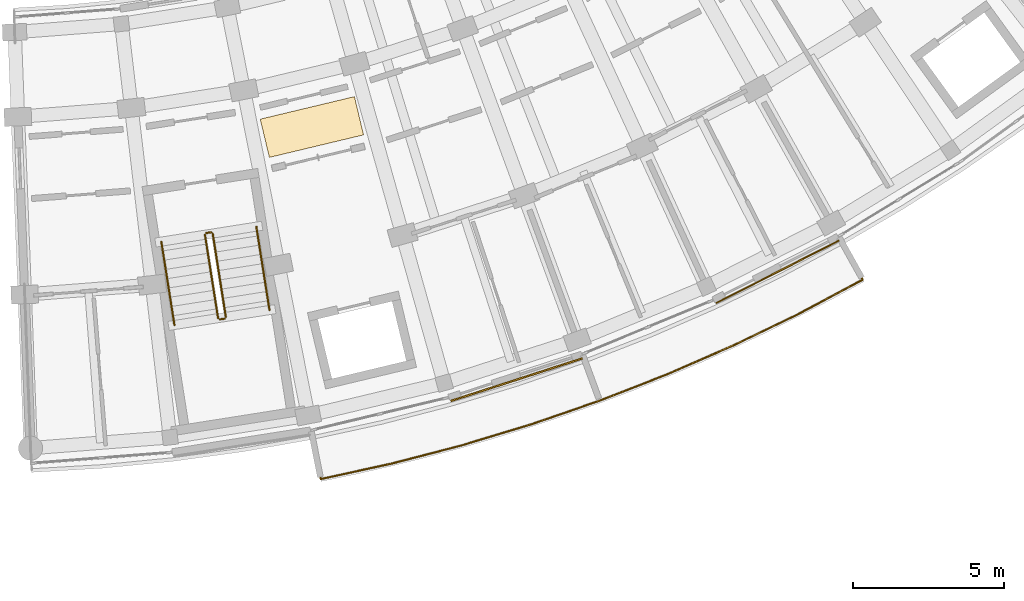
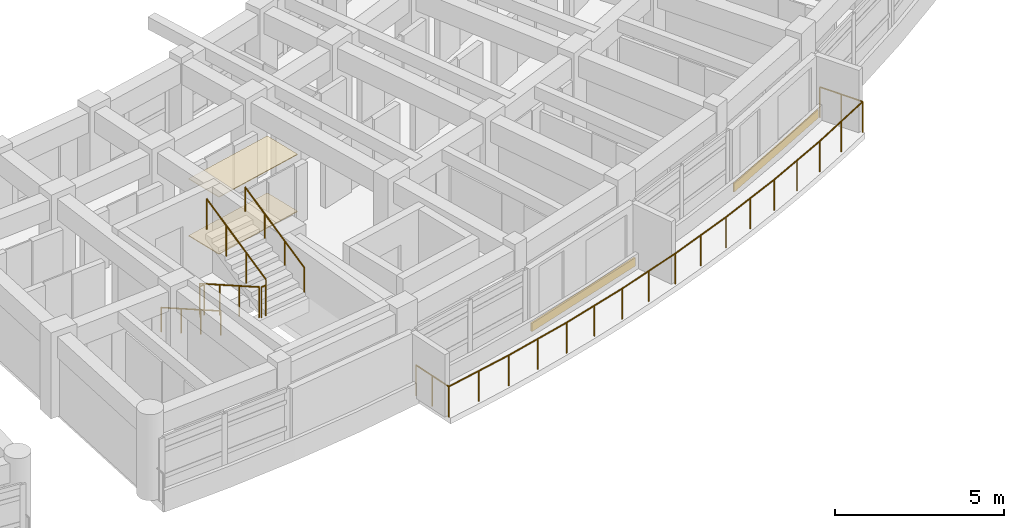
# One storey, part 68 of 70: 7 railings, 4 coverings.
"""IFC4 building model written with IfcOpenShell, lengths in metres."""

from ifc_helpers import new_model, si_unit, direction, frame, origin, origin_2d, place, context, subcontext, project, spatial, rectangle, circle, extrude, material, layer, layer_set, type_object, element, save


model = new_model("IFC4")

# Units and contexts
model_context = context("Model", 3, precision=1e-05, world=origin(), true_north=direction((0.0, 1.0)))
body_context = subcontext(model_context, "Body", "Model", "MODEL_VIEW")
ifc_project = project(units=[si_unit("LENGTHUNIT", "METRE"), si_unit("AREAUNIT", "SQUARE_METRE"), si_unit("VOLUMEUNIT", "CUBIC_METRE"), si_unit("PLANEANGLEUNIT", "RADIAN"), si_unit("MASSUNIT", "GRAM", prefix="KILO")], contexts=[model_context])

# Site, building, storey
site_placement = place(None, origin())
site = spatial("IfcSite", under=ifc_project, at=site_placement, CompositionType="ELEMENT")
building_placement = place(site_placement, origin())
building = spatial("IfcBuilding", under=site, at=building_placement, Name="Zimvara Arc Housing Community", CompositionType="ELEMENT")
storey_placement = place(building_placement, frame((0.0, 0.0, 8.10009765625)))
storey = spatial("IfcBuildingStorey", under=building, at=storey_placement, Name="L02", CompositionType="ELEMENT", Elevation=8.10009765625)

# Coverings
ifc_material_1 = material(Name="Pale-Gold Anodised Aluminium Cladding", Category="aluminium")
ifc_layer_1 = layer(ifc_material_1, 0.044921875)
ifc_layer_set_1 = layer_set([ifc_layer_1], Name="Pale-Gold Anodised Aluminium Cladding")
covering_type_1 = type_object("IfcCoveringType", Name="CLD-GOLD-02", PredefinedType="CLADDING", material=ifc_layer_set_1)
covering_1_placement = place(storey_placement, frame((152.93115234375, 56.851318359375, 0.009765625), z_axis=(0.0, 0.0, 1.0), x_axis=(0.891402366318, 0.453212777096, 0.0)))
element("IfcCovering", 1, at=covering_1_placement, inside=storey, type_object=covering_type_1, Name="cld:blkD:L02:out:b5", PredefinedType="CLADDING", context=body_context, shape_type="SweptSolid", body=[
    extrude(rectangle(XDim=4.5625, YDim=0.044921875, at=origin_2d()), origin(), (0.0, 0.0, 1.0), 0.300048828125),
])
ifc_material_2 = material(Name="Pale-Gold Anodised Aluminium Cladding", Category="aluminium")
ifc_layer_2 = layer(ifc_material_2, 0.054931640625)
ifc_layer_set_2 = layer_set([ifc_layer_2], Name="Pale-Gold Anodised Aluminium Cladding")
covering_type_2 = type_object("IfcCoveringType", Name="CLD-GOLD-04", PredefinedType="CLADDING", material=ifc_layer_set_2)
covering_2_placement = place(storey_placement, frame((144.306640625, 53.288818359375, 0.009765625), z_axis=(0.0, 0.0, 1.0), x_axis=(0.951325822325, 0.308186923436, 0.0)))
element("IfcCovering", 2, at=covering_2_placement, inside=storey, type_object=covering_type_2, Name="cld:blkD:L02:out:b3", PredefinedType="CLADDING", context=body_context, shape_type="SweptSolid", body=[
    extrude(rectangle(XDim=4.5625, YDim=0.054931640625, at=origin_2d()), origin(), (0.0, 0.0, 1.0), 0.300048828125),
])
ifc_material_3 = material(Name="Perforated Acoustic Ceiling Board")
ifc_layer_3 = layer(ifc_material_3, 0.02490234375)
ifc_layer_set_3 = layer_set([ifc_layer_3], Name="Perforated Acoustic Ceiling Board")
covering_type_3 = type_object("IfcCoveringType", Name="COV-CEIL-03", PredefinedType="CEILING", material=ifc_layer_set_3)
covering_3_placement = place(storey_placement, frame((137.53955078125, 61.639404296875, 2.054931640625), z_axis=(0.0, 0.0, 1.0), x_axis=(0.232596722241, -0.972573269632, 0.0)))
element("IfcCovering", 3, at=covering_3_placement, inside=storey, type_object=covering_type_3, Name="ceil:blkD:L02", PredefinedType="CEILING", context=body_context, shape_type="SweptSolid", body=[
    extrude(rectangle(XDim=1.300048828125, YDim=3.199951171875, at=origin_2d()), origin(), (0.0, 0.0, 1.0), 0.02490234375),
])
ifc_material_4 = material(Name="Polished Coastal Sand Terrazzo")
ifc_layer_4 = layer(ifc_material_4, 0.028076171875)
ifc_layer_set_4 = layer_set([ifc_layer_4], Name="Polished Coastal Sand Terrazzo")
covering_type_4 = type_object("IfcCoveringType", Name="COV-FLOR-03", PredefinedType="FLOORING", material=ifc_layer_set_4)
covering_4_placement = place(storey_placement, frame((137.53955078125, 61.639404296875, 0.0), z_axis=(0.0, 0.0, 1.0), x_axis=(0.232596722241, -0.972573269632, 0.0)))
element("IfcCovering", 4, at=covering_4_placement, inside=storey, type_object=covering_type_4, Name="flor:blkD:L02", PredefinedType="FLOORING", context=body_context, shape_type="SweptSolid", body=[
    extrude(rectangle(XDim=1.300048828125, YDim=3.199951171875, at=origin_2d()), origin(), (0.0, 0.0, 1.0), 0.028076171875),
])

# Railings
ifc_material_5 = material(Name="Anodised Aluminium AW-6063", Category="aluminium")
railing_type_1 = type_object("IfcRailingType", Name="RLG-BAL-1120", PredefinedType="BALUSTRADE", material=ifc_material_5)
railing_1_placement = place(storey_placement, frame((137.546630859375, 51.444091796875, 0.0)))
element("IfcRailing", 5, at=railing_1_placement, inside=storey, type_object=railing_type_1, Name="rlg:blkD:L02:bal_out_guard", PredefinedType="BALUSTRADE", context=body_context, shape_type="SweptSolid", body=[
    extrude(circle(Radius=0.02392578125, at=origin_2d()), frame((0.0, 0.0, 1.09619140625), z_axis=(0.194327130478, -0.980936780002, 0.0), x_axis=(0.980936780002, 0.194327130478, 0.0)), (0.0, 0.0, 1.0), 1.469970703125),
    extrude(circle(Radius=0.02392578125, at=origin_2d()), frame((0.28564453125, -1.44189453125, 1.09619140625), z_axis=(0.976950509296, 0.213465927928, 0.0), x_axis=(-0.213465927928, 0.976950509296, 0.0)), (0.0, 0.0, 1.0), 2.39599609375),
    extrude(circle(Radius=0.02392578125, at=origin_2d()), frame((2.62646484375, -0.930419921875, 1.09619140625), z_axis=(0.967834417436, 0.251588037129, 0.0), x_axis=(-0.251588037129, 0.967834417436, 0.0)), (0.0, 0.0, 1.0), 2.39599609375),
    extrude(circle(Radius=0.02392578125, at=origin_2d()), frame((4.9453125, -0.32763671875, 1.09619140625), z_axis=(0.957193048015, 0.289450287324, 0.0), x_axis=(-0.289450287324, 0.957193048015, 0.0)), (0.0, 0.0, 1.0), 2.396240234375),
    extrude(circle(Radius=0.02392578125, at=origin_2d()), frame((7.239013671875, 0.365966796875, 1.09619140625), z_axis=(0.945067209615, 0.326876076382, 0.0), x_axis=(-0.326876076382, 0.945067209615, 0.0)), (0.0, 0.0, 1.0), 2.39599609375),
    extrude(circle(Radius=0.02392578125, at=origin_2d()), frame((9.50341796875, 1.149169921875, 1.09619140625), z_axis=(0.931543109778, 0.363630904386, 0.0), x_axis=(-0.363630904386, 0.931543109778, 0.0)), (0.0, 0.0, 1.0), 2.396240234375),
    extrude(circle(Radius=0.02392578125, at=origin_2d()), frame((11.735595703125, 2.0205078125, 1.09619140625), z_axis=(0.916542773883, 0.39993667454, 0.0), x_axis=(-0.39993667454, 0.916542773883, 0.0)), (0.0, 0.0, 1.0), 2.39599609375),
    extrude(circle(Radius=0.02392578125, at=origin_2d()), frame((13.931640625, 2.978759765625, 1.09619140625), z_axis=(0.900139919701, 0.435600878053, 0.0), x_axis=(-0.435600878053, 0.900139919701, 0.0)), (0.0, 0.0, 1.0), 2.39599609375),
    extrude(circle(Radius=0.02392578125, at=origin_2d()), frame((16.08837890625, 4.0224609375, 1.09619140625), z_axis=(0.882338838815, 0.470614676268, 0.0), x_axis=(-0.470614676268, 0.882338838815, 0.0)), (0.0, 0.0, 1.0), 2.396240234375),
    extrude(circle(Radius=0.02392578125, at=origin_2d()), frame((18.20263671875, 5.150146484375, 1.09619140625), z_axis=(-0.48792557469, 0.872885235047, 0.0), x_axis=(-0.872885235047, -0.48792557469, 0.0)), (0.0, 0.0, 1.0), 1.469970703125),
    extrude(circle(Radius=0.02099609375, at=origin_2d()), origin(), (0.0, 0.0, 1.0), 1.072021484375),
    extrude(circle(Radius=0.02099609375, at=origin_2d()), frame((0.142822265625, -0.720947265625, 0.0)), (0.0, 0.0, 1.0), 1.072021484375),
    extrude(circle(Radius=0.02099609375, at=origin_2d()), frame((0.28564453125, -1.44189453125, 0.0)), (0.0, 0.0, 1.0), 1.072021484375),
    extrude(circle(Radius=0.02099609375, at=origin_2d()), frame((1.4560546875, -1.18603515625, 0.0)), (0.0, 0.0, 1.0), 1.072021484375),
    extrude(circle(Radius=0.02099609375, at=origin_2d()), frame((2.62646484375, -0.930419921875, 0.0)), (0.0, 0.0, 1.0), 1.072021484375),
    extrude(circle(Radius=0.02099609375, at=origin_2d()), frame((3.785888671875, -0.62890625, 0.0)), (0.0, 0.0, 1.0), 1.072021484375),
    extrude(circle(Radius=0.02099609375, at=origin_2d()), frame((4.9453125, -0.32763671875, 0.0)), (0.0, 0.0, 1.0), 1.072021484375),
    extrude(circle(Radius=0.02099609375, at=origin_2d()), frame((6.09228515625, 0.01904296875, 0.0)), (0.0, 0.0, 1.0), 1.072021484375),
    extrude(circle(Radius=0.02099609375, at=origin_2d()), frame((7.239013671875, 0.365966796875, 0.0)), (0.0, 0.0, 1.0), 1.072021484375),
    extrude(circle(Radius=0.02099609375, at=origin_2d()), frame((8.37109375, 0.757568359375, 0.0)), (0.0, 0.0, 1.0), 1.072021484375),
    extrude(circle(Radius=0.02099609375, at=origin_2d()), frame((9.50341796875, 1.149169921875, 0.0)), (0.0, 0.0, 1.0), 1.072021484375),
    extrude(circle(Radius=0.02099609375, at=origin_2d()), frame((10.61962890625, 1.5849609375, 0.0)), (0.0, 0.0, 1.0), 1.072021484375),
    extrude(circle(Radius=0.02099609375, at=origin_2d()), frame((11.735595703125, 2.0205078125, 0.0)), (0.0, 0.0, 1.0), 1.072021484375),
    extrude(circle(Radius=0.02099609375, at=origin_2d()), frame((12.83349609375, 2.49951171875, 0.0)), (0.0, 0.0, 1.0), 1.072021484375),
    extrude(circle(Radius=0.02099609375, at=origin_2d()), frame((13.931640625, 2.978759765625, 0.0)), (0.0, 0.0, 1.0), 1.072021484375),
    extrude(circle(Radius=0.02099609375, at=origin_2d()), frame((15.010009765625, 3.50048828125, 0.0)), (0.0, 0.0, 1.0), 1.072021484375),
    extrude(circle(Radius=0.02099609375, at=origin_2d()), frame((16.08837890625, 4.0224609375, 0.0)), (0.0, 0.0, 1.0), 1.072021484375),
    extrude(circle(Radius=0.02099609375, at=origin_2d()), frame((17.1455078125, 4.58642578125, 0.0)), (0.0, 0.0, 1.0), 1.072021484375),
    extrude(circle(Radius=0.02099609375, at=origin_2d()), frame((18.20263671875, 5.150146484375, 0.0)), (0.0, 0.0, 1.0), 1.072021484375),
    extrude(circle(Radius=0.02099609375, at=origin_2d()), frame((17.843994140625, 5.791748046875, 0.0)), (0.0, 0.0, 1.0), 1.072021484375),
    extrude(circle(Radius=0.02099609375, at=origin_2d()), frame((17.4853515625, 6.433349609375, 0.0)), (0.0, 0.0, 1.0), 1.072021484375),
])
railing_2_placement = place(storey_placement, frame((134.003662109375, 58.077880859375, 0.15478515625)))
element("IfcRailing", 6, at=railing_2_placement, inside=storey, type_object=railing_type_1, Name="L02 ST-D1 stair guard 1", PredefinedType="BALUSTRADE", context=body_context, shape_type="SweptSolid", body=[
    extrude(circle(Radius=0.02392578125, at=origin_2d()), frame((0.0, 0.0, 1.09619140625), z_axis=(0.139155924824, -0.88353837758, 0.447208635795), x_axis=(0.98782319772, 0.155580622336, 0.0)), (0.0, 0.0, 1.0), 3.119384765625),
    extrude(circle(Radius=0.02099609375, at=origin_2d()), origin(), (0.0, 0.0, 1.0), 1.072021484375),
    extrude(circle(Radius=0.02099609375, at=origin_2d()), frame((0.144775390625, -0.918701171875, 0.465087890625)), (0.0, 0.0, 1.0), 1.072021484375),
    extrude(circle(Radius=0.02099609375, at=origin_2d()), frame((0.289306640625, -1.83740234375, 0.929931640625)), (0.0, 0.0, 1.0), 1.072021484375),
    extrude(circle(Radius=0.02099609375, at=origin_2d()), frame((0.43408203125, -2.756103515625, 1.39501953125)), (0.0, 0.0, 1.0), 1.072021484375),
])
railing_3_placement = place(storey_placement, frame((134.494873046875, 55.280029296875, 1.5498046875)))
element("IfcRailing", 7, at=railing_3_placement, inside=storey, type_object=railing_type_1, Name="L02 ST-D1 stair guard 2", PredefinedType="BALUSTRADE", context=body_context, shape_type="SweptSolid", body=[
    extrude(circle(Radius=0.02392578125, at=origin_2d()), frame((0.0, 0.0, 1.09619140625), z_axis=(0.987800074219, 0.155727368733, 0.0), x_axis=(-0.155727368733, 0.987800074219, 0.0)), (0.0, 0.0, 1.0), 0.159912109375),
    extrude(circle(Radius=0.02099609375, at=origin_2d()), origin(), (0.0, 0.0, 1.0), 1.072021484375),
    extrude(circle(Radius=0.02099609375, at=origin_2d()), frame((0.157958984375, 0.02490234375, 0.0)), (0.0, 0.0, 1.0), 1.072021484375),
])
railing_4_placement = place(storey_placement, frame((134.694580078125, 55.3623046875, 1.704833984375)))
element("IfcRailing", 8, at=railing_4_placement, inside=storey, type_object=railing_type_1, Name="L02 ST-D1 stair guard 3", PredefinedType="BALUSTRADE", context=body_context, shape_type="SweptSolid", body=[
    extrude(circle(Radius=0.02392578125, at=origin_2d()), frame((0.0, 0.0, 1.09619140625), z_axis=(-0.139165548099, 0.883521207501, 0.447239562337), x_axis=(-0.987821079402, -0.155594071508, 0.0)), (0.0, 0.0, 1.0), 3.119140625),
    extrude(circle(Radius=0.02099609375, at=origin_2d()), origin(), (0.0, 0.0, 1.0), 1.072021484375),
    extrude(circle(Radius=0.02099609375, at=origin_2d()), frame((-0.144775390625, 0.918701171875, 0.465087890625)), (0.0, 0.0, 1.0), 1.072021484375),
    extrude(circle(Radius=0.02099609375, at=origin_2d()), frame((-0.289306640625, 1.837158203125, 0.929931640625)), (0.0, 0.0, 1.0), 1.072021484375),
    extrude(circle(Radius=0.02099609375, at=origin_2d()), frame((-0.43408203125, 2.755859375, 1.39501953125)), (0.0, 0.0, 1.0), 1.072021484375),
])
railing_5_placement = place(storey_placement, frame((134.045166015625, 58.135009765625, 0.0)))
element("IfcRailing", 9, at=railing_5_placement, inside=storey, type_object=railing_type_1, Name="L02 ST-D1 stair guard 4", PredefinedType="BALUSTRADE", context=body_context, shape_type="SweptSolid", body=[
    extrude(circle(Radius=0.02392578125, at=origin_2d()), frame((0.0, 0.0, 1.09619140625), z_axis=(0.987800074219, 0.155727368733, 0.0), x_axis=(-0.155727368733, 0.987800074219, 0.0)), (0.0, 0.0, 1.0), 0.159912109375),
    extrude(circle(Radius=0.02099609375, at=origin_2d()), origin(), (0.0, 0.0, 1.0), 1.072021484375),
    extrude(circle(Radius=0.02099609375, at=origin_2d()), frame((0.157958984375, 0.02490234375, 0.0)), (0.0, 0.0, 1.0), 1.072021484375),
])
ifc_material_6 = material(Name="Anodised Aluminium AW-6063", Category="aluminium")
railing_type_2 = type_object("IfcRailingType", Name="RLG-HND-900", PredefinedType="HANDRAIL", material=ifc_material_6)
railing_6_placement = place(storey_placement, frame((132.561279296875, 57.8505859375, 0.15478515625)))
element("IfcRailing", 10, at=railing_6_placement, inside=storey, type_object=railing_type_2, Name="L02 ST-D1 stair handrail 1", PredefinedType="HANDRAIL", context=body_context, shape_type="SweptSolid", body=[
    extrude(circle(Radius=0.02392578125, at=origin_2d()), frame((0.0, 0.0, 0.8759765625), z_axis=(0.139165548099, -0.883521207501, 0.447239562337), x_axis=(0.987821079402, 0.155594071508, 0.0)), (0.0, 0.0, 1.0), 3.119140625),
    extrude(circle(Radius=0.02099609375, at=origin_2d()), origin(), (0.0, 0.0, 1.0), 0.851806640625),
    extrude(circle(Radius=0.02099609375, at=origin_2d()), frame((0.144775390625, -0.918701171875, 0.465087890625)), (0.0, 0.0, 1.0), 0.851806640625),
    extrude(circle(Radius=0.02099609375, at=origin_2d()), frame((0.289306640625, -1.837158203125, 0.929931640625)), (0.0, 0.0, 1.0), 0.851806640625),
    extrude(circle(Radius=0.02099609375, at=origin_2d()), frame((0.43408203125, -2.755859375, 1.39501953125)), (0.0, 0.0, 1.0), 0.851806640625),
])
railing_7_placement = place(storey_placement, frame((136.13671875, 55.58935546875, 1.704833984375)))
element("IfcRailing", 11, at=railing_7_placement, inside=storey, type_object=railing_type_2, Name="L02 ST-D1 stair handrail 2", PredefinedType="HANDRAIL", context=body_context, shape_type="SweptSolid", body=[
    extrude(circle(Radius=0.02392578125, at=origin_2d()), frame((0.0, 0.0, 0.8759765625), z_axis=(-0.139155924824, 0.88353837758, 0.447208635795), x_axis=(-0.98782319772, -0.155580622336, 0.0)), (0.0, 0.0, 1.0), 3.119384765625),
    extrude(circle(Radius=0.02099609375, at=origin_2d()), origin(), (0.0, 0.0, 1.0), 0.851806640625),
    extrude(circle(Radius=0.02099609375, at=origin_2d()), frame((-0.144775390625, 0.918701171875, 0.465087890625)), (0.0, 0.0, 1.0), 0.851806640625),
    extrude(circle(Radius=0.02099609375, at=origin_2d()), frame((-0.289306640625, 1.83740234375, 0.929931640625)), (0.0, 0.0, 1.0), 0.851806640625),
    extrude(circle(Radius=0.02099609375, at=origin_2d()), frame((-0.43408203125, 2.756103515625, 1.39501953125)), (0.0, 0.0, 1.0), 0.851806640625),
])

save(model, "model.ifc")
